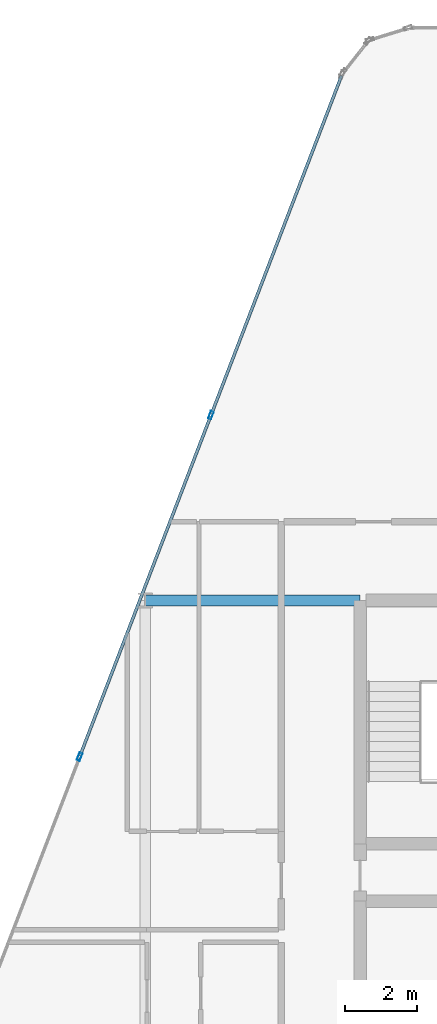
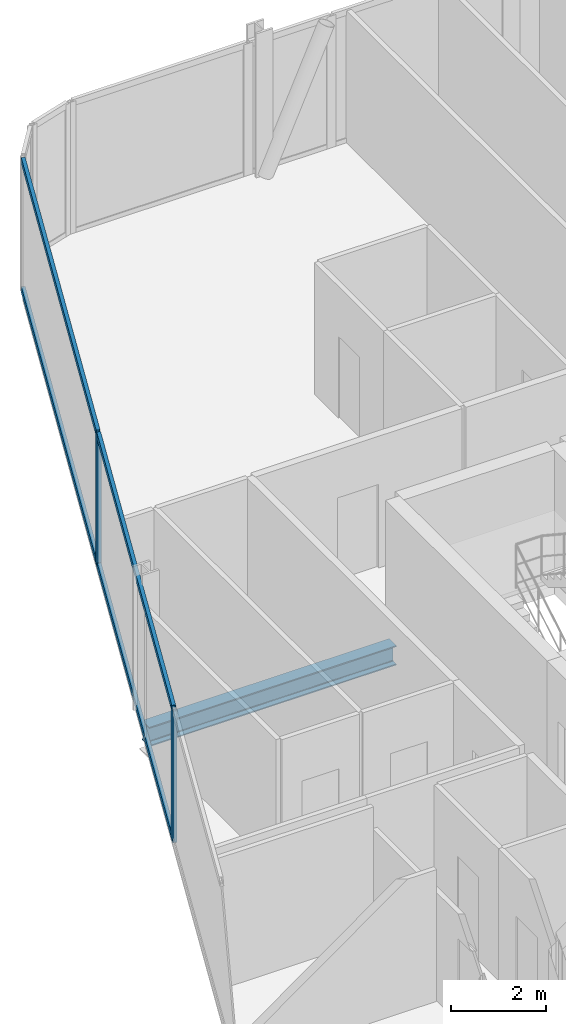
# One storey, part 11 of 33: 6 members, 1 beam, 1 element without a shape of its own.
"""IFC4 building model written with IfcOpenShell, lengths in metres."""

import ifcopenshell
import ifcopenshell.guid

model = None  # the IFC model being written
_history = None  # IfcOwnerHistory: only IFC2X3 demands one
_inside = {}  # id of a spatial element -> (the spatial element, [elements in it])
_under = {}  # id of a project, library or spatial element -> (it, [spatial elements below it])
_declared = {}  # id of a project -> (the project, [libraries it declares])
_typed = {}  # id of a type object -> (the type object, [elements of that type])
_made_of = {}  # id of a material, layer set ... -> (it, [elements and type objects made of it])


def new_model(schema):
    """Start an empty IFC model of exactly this schema.

    Asked for "IFC4X3", IfcOpenShell would pick the latest addendum, in which some entities
    have other attributes; the version numbers below select the first issue.
    IFC2X3 requires an IfcOwnerHistory on every rooted entity: one is made here for all.
    """
    global model, _history
    if schema == "IFC4X3":
        model = ifcopenshell.file(schema_version=(4, 3, 0, 0))
    else:
        model = ifcopenshell.file(schema=schema)
    _inside.clear()
    _under.clear()
    _declared.clear()
    _typed.clear()
    _made_of.clear()
    _history = None
    if model.schema == "IFC2X3":
        org = make("IfcOrganization", Name="unknown")
        user = make(
            "IfcPersonAndOrganization",
            ThePerson=make("IfcPerson", FamilyName="unknown"),
            TheOrganization=org,
        )
        app = make(
            "IfcApplication",
            ApplicationDeveloper=org,
            Version="unknown",
            ApplicationFullName="unknown",
            ApplicationIdentifier="unknown",
        )
        _history = make(
            "IfcOwnerHistory",
            OwningUser=user,
            OwningApplication=app,
            ChangeAction="ADDED",
            CreationDate=0,
        )
    return model


def make(cls, **values):
    """One entity of the class cls with the attributes given. An attribute that is None is left unset."""
    return model.create_entity(
        cls, **{name: value for name, value in values.items() if value is not None}
    )


def rooted(cls, **values):
    """An entity with a GlobalId (a new one), such as an element, a storey or a relation."""
    return make(cls, GlobalId=ifcopenshell.guid.new(), OwnerHistory=_history, **values)


def si_unit(unit_type, name, prefix=None):
    """IfcSIUnit, for example si_unit("LENGTHUNIT", "METRE", prefix="MILLI")."""
    return make("IfcSIUnit", UnitType=unit_type, Prefix=prefix, Name=name)


def assignment(units):
    """IfcUnitAssignment: the units of a project."""
    return None if units is None else make("IfcUnitAssignment", Units=units)


def point(xyz):
    """IfcCartesianPoint."""
    return None if xyz is None else make("IfcCartesianPoint", Coordinates=xyz)


def direction(xyz):
    """IfcDirection."""
    return None if xyz is None else make("IfcDirection", DirectionRatios=xyz)


def frame(location, z_axis=None, x_axis=None):
    """IfcAxis2Placement3D, a coordinate frame: its origin and axes. An axis left out is left unset."""
    return make(
        "IfcAxis2Placement3D",
        Location=point(location),
        Axis=direction(z_axis),
        RefDirection=direction(x_axis),
    )


def frame_2d(location, x_axis=None):
    """IfcAxis2Placement2D, a coordinate frame in the plane: its origin and x axis."""
    return make(
        "IfcAxis2Placement2D", Location=point(location), RefDirection=direction(x_axis)
    )


def origin():
    """The frame at (0, 0, 0) with its axes left unset."""
    return frame((0.0, 0.0, 0.0))


def origin_2d():
    """The frame at (0, 0) in the plane with its x axis left unset."""
    return frame_2d((0.0, 0.0))


def place(relative_to, where):
    """IfcLocalPlacement: puts the frame where relative to a parent placement (None: the world)."""
    return make(
        "IfcLocalPlacement", PlacementRelTo=relative_to, RelativePlacement=where
    )


def context(
    kind, dimensions, precision=None, world=None, true_north=None, identifier=None
):
    """IfcGeometricRepresentationContext, for example the 3D "Model" context."""
    return make(
        "IfcGeometricRepresentationContext",
        ContextIdentifier=identifier,
        ContextType=kind,
        CoordinateSpaceDimension=dimensions,
        Precision=precision,
        WorldCoordinateSystem=world,
        TrueNorth=true_north,
    )


def subcontext(parent, identifier, kind, view, scale=None):
    """IfcGeometricRepresentationSubContext, for example "Body" below "Model"."""
    return make(
        "IfcGeometricRepresentationSubContext",
        ContextIdentifier=identifier,
        ContextType=kind,
        ParentContext=parent,
        TargetScale=scale,
        TargetView=view,
    )


def project(units=None, contexts=None):
    """IfcProject with its units and contexts."""
    return rooted(
        "IfcProject",
        Name="project",
        RepresentationContexts=contexts,
        UnitsInContext=assignment(units),
    )


def spatial(cls, under=None, at=None, **own):
    """A site, building, storey or space (cls), placed at a placement, below another one or the project."""
    s = rooted(cls, ObjectPlacement=at, **own)
    if under is not None:
        _under.setdefault(under.id(), (under, []))[1].append(s)
    return s


def profile(cls, at=None, kind="AREA", **sizes):
    """A parametric profile (cls). Its sizes go by their IFC names, for example OverallWidth=200.0."""
    return make(cls, ProfileType=kind, Position=at, **sizes)


def hollow_rectangle(**sizes):
    """IfcRectangleHollowProfileDef."""
    return profile("IfcRectangleHollowProfileDef", **sizes)


def i_section(**sizes):
    """IfcIShapeProfileDef."""
    return profile("IfcIShapeProfileDef", **sizes)


def extrude(swept, where, along, depth):
    """IfcExtrudedAreaSolid: the profile swept, set in the frame where, extruded along a direction by depth."""
    return make(
        "IfcExtrudedAreaSolid",
        SweptArea=swept,
        Position=where,
        ExtrudedDirection=direction(along),
        Depth=depth,
    )


def shape(context_of_items, identifier, shape_type, items):
    """IfcShapeRepresentation: the items that make up one representation, for example the "Body"."""
    return make(
        "IfcShapeRepresentation",
        ContextOfItems=context_of_items,
        RepresentationIdentifier=identifier,
        RepresentationType=shape_type,
        Items=items,
    )


def material(Name=None, Category=None):
    """IfcMaterial."""
    return make("IfcMaterial", Name=Name, Category=Category)


def layer(
    of_material, thickness, ventilated=None, Name=None, Category=None, Priority=None
):
    """IfcMaterialLayer: one layer of a wall or slab, of a material (None: an air gap)."""
    return make(
        "IfcMaterialLayer",
        Material=of_material,
        LayerThickness=thickness,
        IsVentilated=ventilated,
        Name=Name,
        Category=Category,
        Priority=Priority,
    )


def layer_set(layers, Name=None):
    """IfcMaterialLayerSet."""
    return make("IfcMaterialLayerSet", MaterialLayers=layers, LayerSetName=Name)


def material_profile(
    of_material, cross_section, Name=None, Category=None, Priority=None
):
    """IfcMaterialProfile: a cross section and its material."""
    return make(
        "IfcMaterialProfile",
        Name=Name,
        Material=of_material,
        Profile=cross_section,
        Priority=Priority,
        Category=Category,
    )


def profile_set(profiles, Name=None, composite=None):
    """IfcMaterialProfileSet."""
    return make(
        "IfcMaterialProfileSet",
        Name=Name,
        MaterialProfiles=profiles,
        CompositeProfile=composite,
    )


def made_of(thing, what):
    """Note that an element or type object is made of a material, layer set ...; save() writes the relation."""
    if what is not None:
        _made_of.setdefault(what.id(), (what, []))[1].append(thing)
    return thing


def type_object(cls, material=None, **own):
    """A type object (cls), such as IfcWallType, which elements share."""
    return made_of(rooted(cls, **own), material)


def element(
    cls,
    number,
    at=None,
    inside=None,
    cuts=None,
    type_object=None,
    material=None,
    context=None,
    identifier="Body",
    shape_type=None,
    held_by="IfcProductDefinitionShape",
    body=None,
    shapes=None,
    **own,
):
    """One element of the class cls, such as IfcWall. Its Tag is "e" and its number.

    at: its placement. inside: the storey or other place that contains it. cuts: it is an
    opening in that element (IfcRelVoidsElement). A single representation is given by context,
    identifier, shape_type and body (its items); several are given by shapes. held_by: the class
    of the entity that holds the representations. save() writes the other relations.
    """
    e = rooted(cls, Tag="e%d" % number, ObjectPlacement=at, **own)
    if body is not None:
        shapes = [shape(context, identifier, shape_type, body)]
    if shapes is not None:
        e.Representation = make(held_by, Representations=shapes)
    if inside is not None:
        _inside.setdefault(inside.id(), (inside, []))[1].append(e)
    if cuts is not None:
        rooted(
            "IfcRelVoidsElement", RelatingBuildingElement=cuts, RelatedOpeningElement=e
        )
    if type_object is not None:
        _typed.setdefault(type_object.id(), (type_object, []))[1].append(e)
    return made_of(e, material)


def aggregate(whole, parts):
    """IfcRelAggregates: a whole, such as a stair, and the parts it consists of."""
    return rooted("IfcRelAggregates", RelatingObject=whole, RelatedObjects=parts)


def save(model, path):
    """Write the relations noted so far, then the file.

    IfcRelAggregates (storeys below a building ...), IfcRelContainedInSpatialStructure (elements
    in a storey), IfcRelDefinesByType, IfcRelAssociatesMaterial and IfcRelDeclares: one each for
    every whole, place, type object, material and project.
    """
    for whole, parts in _under.values():
        aggregate(whole, parts)
    for where, things in _inside.values():
        rooted(
            "IfcRelContainedInSpatialStructure",
            RelatedElements=things,
            RelatingStructure=where,
        )
    for kind, things in _typed.values():
        rooted("IfcRelDefinesByType", RelatedObjects=things, RelatingType=kind)
    for what, things in _made_of.values():
        rooted("IfcRelAssociatesMaterial", RelatedObjects=things, RelatingMaterial=what)
    for by, libraries in _declared.values():
        rooted("IfcRelDeclares", RelatingContext=by, RelatedDefinitions=libraries)
    model.write(path)


model = new_model("IFC4")

# Units and contexts
model_context = context("Model", 3, precision=1e-05, world=origin(), true_north=direction((0.0, 1.0)))
body_context = subcontext(model_context, "Body", "Model", "MODEL_VIEW")
ifc_project = project(units=[si_unit("LENGTHUNIT", "METRE"), si_unit("AREAUNIT", "SQUARE_METRE"), si_unit("VOLUMEUNIT", "CUBIC_METRE"), si_unit("PLANEANGLEUNIT", "RADIAN"), si_unit("MASSUNIT", "GRAM", prefix="KILO")], contexts=[model_context])

# Site, building, storey
site_placement = place(None, origin())
site = spatial("IfcSite", under=ifc_project, at=site_placement, CompositionType="ELEMENT")
building_placement = place(site_placement, origin())
building = spatial("IfcBuilding", under=site, at=building_placement, Name="Keshet Zoharim Tower", CompositionType="ELEMENT")
storey_placement = place(building_placement, frame((0.0, 0.0, 42.5)))
storey = spatial("IfcBuildingStorey", under=building, at=storey_placement, Name="L09", CompositionType="ELEMENT", Elevation=42.5)

# Beam
ifc_material_1 = material(Name="Steel S355", Category="steel")
ifc_material_profile_1 = material_profile(ifc_material_1, i_section(OverallWidth=0.300048828125, OverallDepth=0.5, WebThickness=0.014404296875, FlangeThickness=0.028076171875, FilletRadius=0.027099609375, at=origin_2d()), Name="HEB500")
ifc_profile_set_1 = profile_set([ifc_material_profile_1], Name="Steel S355")
beam_type = type_object("IfcBeamType", Name="BM-WEB-HB500", PredefinedType="BEAM", material=ifc_profile_set_1)
beam_placement = place(storey_placement, frame((9.0, 37.89990234375, -0.56494140625), z_axis=(1.0, 0.0, 0.0), x_axis=(0.0, 1.0, 0.0)))
element("IfcBeam", 1, at=beam_placement, inside=storey, type_object=beam_type, Name="L09 Primary Girder X-028", PredefinedType="BEAM", context=body_context, shape_type="SweptSolid", body=[
    extrude(i_section(OverallWidth=0.300048828125, OverallDepth=0.5, WebThickness=0.014404296875, FlangeThickness=0.028076171875, FilletRadius=0.027099609375, at=origin_2d()), origin(), (0.0, 0.0, 1.0), 6.0),
])

# Curtain wall, members
ifc_material_2 = material(Name="Aluminium 6063-T6", Category="aluminium")
ifc_layer = layer(ifc_material_2, 0.179931640625)
ifc_layer_set = layer_set([ifc_layer], Name="Aluminium 6063-T6")
curtain_wall_type = type_object("IfcCurtainWallType", Name="CW-SYS-01", PredefinedType="NOTDEFINED", material=ifc_layer_set)
curtain_wall_placement = place(storey_placement, origin())
curtain_wall = element("IfcCurtainWall", 2, at=curtain_wall_placement, inside=storey, type_object=curtain_wall_type, Name="L09 Unitised Curtain Wall 04", PredefinedType="NOTDEFINED")
ifc_material_profile_2 = material_profile(ifc_material_2, hollow_rectangle(XDim=0.090087890625, YDim=0.219970703125, WallThickness=0.0048828125, at=origin_2d()), Name="MUL-90x220")
ifc_profile_set_2 = profile_set([ifc_material_profile_2], Name="Aluminium 6063-T6")
member_type_1 = type_object("IfcMemberType", Name="CWM-M22", PredefinedType="MULLION", material=ifc_profile_set_2)
member_1_placement = place(storey_placement, frame((7.1669921875, 33.53466796875, 0.0), z_axis=(0.0, 0.0, 1.0), x_axis=(-0.933341404361, 0.358990003907, 0.0)))
member_1 = element("IfcMember", 3, at=member_1_placement, type_object=member_type_1, Name="CW-01 mullion 2", PredefinedType="MULLION", context=body_context, shape_type="SweptSolid", body=[
    extrude(hollow_rectangle(XDim=0.090087890625, YDim=0.219970703125, WallThickness=0.0048828125, at=origin_2d()), origin(), (0.0, 0.0, 1.0), 3.385009765625),
])
member_2_placement = place(storey_placement, frame((10.8369140625, 43.076416015625, 0.0), z_axis=(0.0, 0.0, 1.0), x_axis=(-0.933341404361, 0.358990003907, 0.0)))
member_2 = element("IfcMember", 4, at=member_2_placement, type_object=member_type_1, Name="CW-01 mullion 3", PredefinedType="MULLION", context=body_context, shape_type="SweptSolid", body=[
    extrude(hollow_rectangle(XDim=0.090087890625, YDim=0.219970703125, WallThickness=0.0048828125, at=origin_2d()), origin(), (0.0, 0.0, 1.0), 3.385009765625),
])
ifc_material_profile_3 = material_profile(ifc_material_2, hollow_rectangle(XDim=0.0849609375, YDim=0.159912109375, WallThickness=0.00439453125, at=origin_2d()), Name="TRN-85x160")
ifc_profile_set_3 = profile_set([ifc_material_profile_3], Name="Aluminium 6063-T6")
member_type_2 = type_object("IfcMemberType", Name="CWT-T16", PredefinedType="USERDEFINED", material=ifc_profile_set_3)
member_3_placement = place(storey_placement, frame((7.179443359375, 33.5673828125, 0.034912109375), z_axis=(0.359003248899, 0.933336309848, 0.0), x_axis=(-0.933336309848, 0.359003248899, 0.0)))
member_3 = element("IfcMember", 5, at=member_3_placement, type_object=member_type_2, Name="CW-01 transom 2.1", ObjectType="TRANSOM", PredefinedType="USERDEFINED", context=body_context, shape_type="SweptSolid", body=[
    extrude(hollow_rectangle(XDim=0.0849609375, YDim=0.159912109375, WallThickness=0.00439453125, at=origin_2d()), origin(), (0.0, 0.0, 1.0), 10.153076171875),
])
member_4_placement = place(storey_placement, frame((7.179443359375, 33.5673828125, 3.35009765625), z_axis=(0.359003248899, 0.933336309848, 0.0), x_axis=(-0.933336309848, 0.359003248899, 0.0)))
member_4 = element("IfcMember", 6, at=member_4_placement, type_object=member_type_2, Name="CW-01 transom 2.2", ObjectType="TRANSOM", PredefinedType="USERDEFINED", context=body_context, shape_type="SweptSolid", body=[
    extrude(hollow_rectangle(XDim=0.0849609375, YDim=0.159912109375, WallThickness=0.00439453125, at=origin_2d()), origin(), (0.0, 0.0, 1.0), 10.153076171875),
])
member_5_placement = place(storey_placement, frame((10.849609375, 43.10888671875, 0.034912109375), z_axis=(0.358985546764, 0.933343118694, 0.0), x_axis=(-0.933343118694, 0.358985546764, 0.0)))
member_5 = element("IfcMember", 7, at=member_5_placement, type_object=member_type_2, Name="CW-01 transom 3.1", ObjectType="TRANSOM", PredefinedType="USERDEFINED", context=body_context, shape_type="SweptSolid", body=[
    extrude(hollow_rectangle(XDim=0.0849609375, YDim=0.159912109375, WallThickness=0.00439453125, at=origin_2d()), origin(), (0.0, 0.0, 1.0), 10.118408203125),
])
member_6_placement = place(storey_placement, frame((10.849609375, 43.10888671875, 3.35009765625), z_axis=(0.358985546764, 0.933343118694, 0.0), x_axis=(-0.933343118694, 0.358985546764, 0.0)))
member_6 = element("IfcMember", 8, at=member_6_placement, type_object=member_type_2, Name="CW-01 transom 3.2", ObjectType="TRANSOM", PredefinedType="USERDEFINED", context=body_context, shape_type="SweptSolid", body=[
    extrude(hollow_rectangle(XDim=0.0849609375, YDim=0.159912109375, WallThickness=0.00439453125, at=origin_2d()), origin(), (0.0, 0.0, 1.0), 10.118408203125),
])
aggregate(curtain_wall, [member_1, member_2, member_3, member_4, member_5, member_6])

save(model, "model.ifc")
